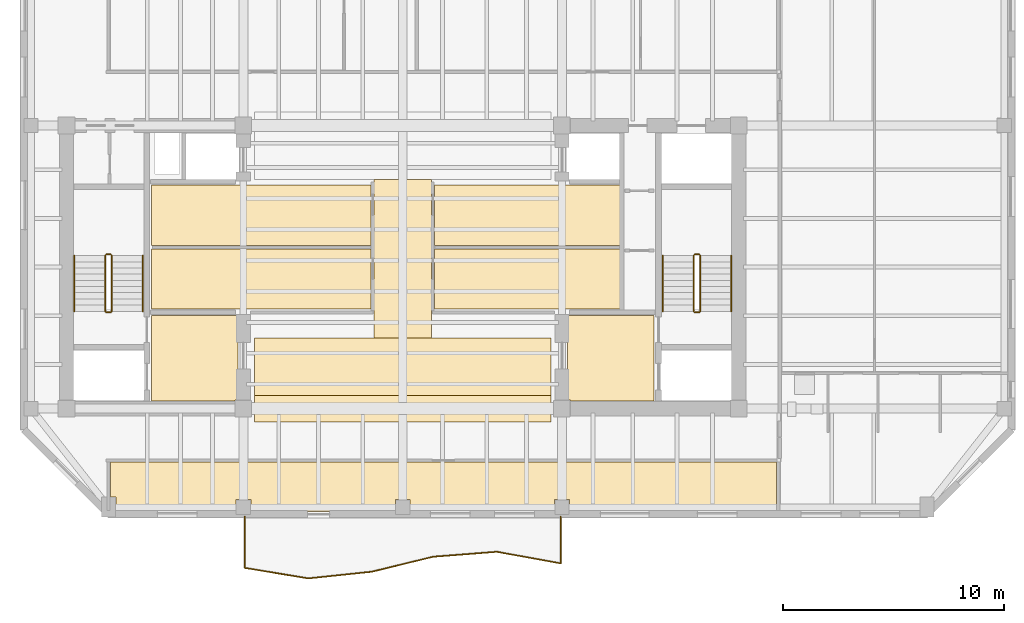
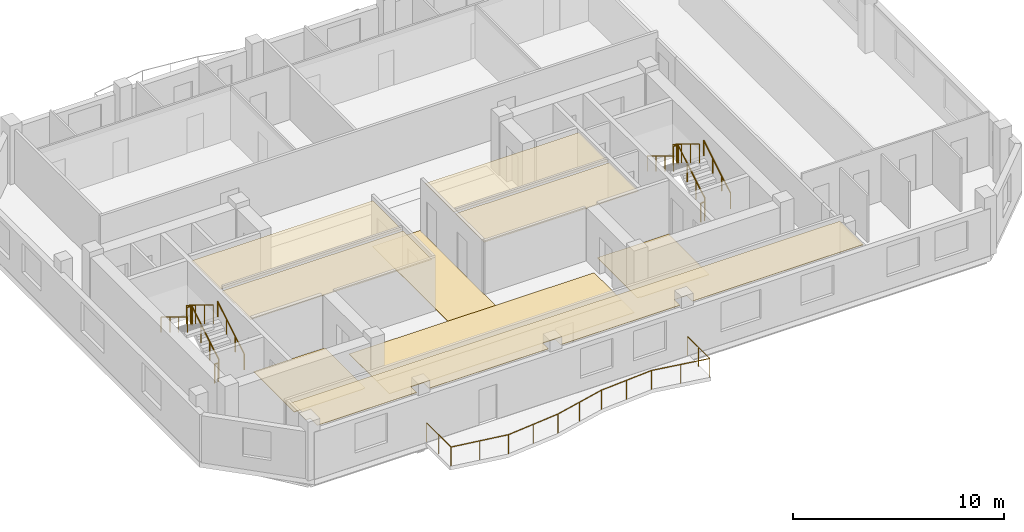
# One storey, part 7 of 9: 13 railings, 10 coverings.
"""IFC4 building model written with IfcOpenShell, lengths in metres."""

from ifc_helpers import new_model, si_unit, direction, frame, origin, origin_2d, place, context, subcontext, project, spatial, polyline, circle, outline, extrude, material, layer, layer_set, type_object, element, save


model = new_model("IFC4")

# Units and contexts
model_context = context("Model", 3, precision=1e-05, world=origin(), true_north=direction((0.0, 1.0)))
body_context = subcontext(model_context, "Body", "Model", "MODEL_VIEW")
ifc_project = project(units=[si_unit("LENGTHUNIT", "METRE"), si_unit("AREAUNIT", "SQUARE_METRE"), si_unit("VOLUMEUNIT", "CUBIC_METRE"), si_unit("PLANEANGLEUNIT", "RADIAN"), si_unit("MASSUNIT", "GRAM", prefix="KILO")], contexts=[model_context])

# Site, building, storey
site_placement = place(None, origin())
site = spatial("IfcSite", under=ifc_project, at=site_placement, CompositionType="ELEMENT")
building_placement = place(site_placement, origin())
building = spatial("IfcBuilding", under=site, at=building_placement, Name="Kranthara Brick Stack", CompositionType="ELEMENT")
storey_placement = place(building_placement, frame((0.0, 0.0, 251.699951171875)))
storey = spatial("IfcBuildingStorey", under=building, at=storey_placement, Name="L66", CompositionType="ELEMENT", Elevation=251.699951171875)

# Coverings
ifc_material_1 = material(Name="Perforated mineral-fibre acoustic ceiling tile", Category="other")
ifc_layer_1 = layer(ifc_material_1, 0.02490234375)
ifc_layer_set_1 = layer_set([ifc_layer_1], Name="Perforated mineral-fibre acoustic ceiling tile")
covering_type_1 = type_object("IfcCoveringType", Name="COV-CEIL-ACOUSTIC", PredefinedType="CEILING", material=ifc_layer_set_1)
covering_1_placement = place(storey_placement, frame((0.0, 0.0, 2.830078125)))
element("IfcCovering", 1, at=covering_1_placement, inside=storey, type_object=covering_type_1, Name="L66 L66 Sky Club Study Room Acoustic Ceiling", PredefinedType="CEILING", context=body_context, shape_type="SweptSolid", body=[
    extrude(outline(polyline([(26.570068359375, 25.300048828125), (26.570068359375, 28.02001953125), (16.64990234375, 28.02001953125), (16.64990234375, 25.300048828125), (26.570068359375, 25.300048828125)])), origin(), (0.0, 0.0, 1.0), 0.02490234375),
])
covering_2_placement = place(storey_placement, frame((0.0, 0.0, 2.830078125)))
element("IfcCovering", 2, at=covering_2_placement, inside=storey, type_object=covering_type_1, Name="L66 L66 Sky Club Media Salon Acoustic Ceiling", PredefinedType="CEILING", context=body_context, shape_type="SweptSolid", body=[
    extrude(outline(polyline([(26.570068359375, 28.179931640625), (26.570068359375, 30.89990234375), (16.64990234375, 30.89990234375), (16.64990234375, 28.179931640625), (26.570068359375, 28.179931640625)])), origin(), (0.0, 0.0, 1.0), 0.02490234375),
])
covering_3_placement = place(storey_placement, frame((0.0, 0.0, 2.830078125)))
element("IfcCovering", 3, at=covering_3_placement, inside=storey, type_object=covering_type_1, Name="L66 L66 Sky Club Tea Room Acoustic Ceiling", PredefinedType="CEILING", context=body_context, shape_type="SweptSolid", body=[
    extrude(outline(polyline([(37.8798828125, 25.300048828125), (37.8798828125, 28.02001953125), (29.429931640625, 28.02001953125), (29.429931640625, 25.300048828125), (37.8798828125, 25.300048828125)])), origin(), (0.0, 0.0, 1.0), 0.02490234375),
])
covering_4_placement = place(storey_placement, frame((0.0, 0.0, 2.830078125)))
element("IfcCovering", 4, at=covering_4_placement, inside=storey, type_object=covering_type_1, Name="L66 L66 Sky Club Private Dining Room Acoustic Ceiling", PredefinedType="CEILING", context=body_context, shape_type="SweptSolid", body=[
    extrude(outline(polyline([(37.8798828125, 28.179931640625), (37.8798828125, 30.89990234375), (29.429931640625, 30.89990234375), (29.429931640625, 28.179931640625), (37.8798828125, 28.179931640625)])), origin(), (0.0, 0.0, 1.0), 0.02490234375),
])
covering_5_placement = place(storey_placement, frame((0.0, 0.0, 2.830078125)))
element("IfcCovering", 5, at=covering_5_placement, inside=storey, type_object=covering_type_1, Name="L66 L66 Sky Club Observation Lounge 1 Acoustic Ceiling", PredefinedType="CEILING", context=body_context, shape_type="SweptSolid", body=[
    extrude(outline(polyline([(35.534912109375, 16.14990234375), (35.534912109375, 16.68505859375), (34.864990234375, 16.68505859375), (34.864990234375, 16.14990234375), (28.3349609375, 16.14990234375), (28.3349609375, 16.68505859375), (27.6650390625, 16.68505859375), (27.6650390625, 16.14990234375), (21.135009765625, 16.14990234375), (21.135009765625, 16.68505859375), (20.465087890625, 16.68505859375), (20.465087890625, 16.14990234375), (15.034912109375, 16.14990234375), (15.034912109375, 16.81005859375), (14.780029296875, 16.81005859375), (14.780029296875, 18.3798828125), (44.89990234375, 18.3798828125), (44.89990234375, 16.14990234375), (35.534912109375, 16.14990234375)])), origin(), (0.0, 0.0, 1.0), 0.02490234375),
])
ifc_material_2 = material(Name="Honed terrazzo and porcelain floor finish", Category="stone")
ifc_layer_2 = layer(ifc_material_2, 0.030029296875)
ifc_layer_set_2 = layer_set([ifc_layer_2], Name="Honed terrazzo and porcelain floor finish")
covering_type_2 = type_object("IfcCoveringType", Name="COV-FLOR-STONE", PredefinedType="FLOORING", material=ifc_layer_set_2)
covering_6_placement = place(storey_placement, origin())
element("IfcCovering", 6, at=covering_6_placement, inside=storey, type_object=covering_type_2, Name="L66 Lift Lobby Stone Flooring", PredefinedType="FLOORING", context=body_context, shape_type="SweptSolid", body=[
    extrude(outline(polyline([(16.64990234375, 21.14990234375), (16.64990234375, 25.0), (20.550048828125, 25.0), (20.550048828125, 21.18505859375), (20.4150390625, 21.18505859375), (20.4150390625, 21.14990234375), (16.64990234375, 21.14990234375)])), origin(), (0.0, 0.0, 1.0), 0.030029296875),
])
covering_7_placement = place(storey_placement, origin())
element("IfcCovering", 7, at=covering_7_placement, inside=storey, type_object=covering_type_2, Name="L66 Lift Lobby Stone Flooring", PredefinedType="FLOORING", context=body_context, shape_type="SweptSolid", body=[
    extrude(outline(polyline([(35.449951171875, 25.0), (39.35009765625, 25.0), (39.35009765625, 21.14990234375), (35.5849609375, 21.14990234375), (35.5849609375, 21.18505859375), (35.449951171875, 21.18505859375), (35.449951171875, 25.0)])), origin(), (0.0, 0.0, 1.0), 0.030029296875),
])
covering_8_placement = place(storey_placement, origin())
element("IfcCovering", 8, at=covering_8_placement, inside=storey, type_object=covering_type_2, Name="L66 Lift Lobby Stone Flooring", PredefinedType="FLOORING", context=body_context, shape_type="SweptSolid", body=[
    extrude(outline(polyline([(34.699951171875, 21.39990234375), (34.699951171875, 24.0), (21.300048828125, 24.0), (21.300048828125, 21.39990234375), (34.699951171875, 21.39990234375)])), origin(), (0.0, 0.0, 1.0), 0.030029296875),
])
covering_9_placement = place(storey_placement, origin())
element("IfcCovering", 9, at=covering_9_placement, inside=storey, type_object=covering_type_2, Name="L66 Lift Lobby Stone Flooring", PredefinedType="FLOORING", context=body_context, shape_type="SweptSolid", body=[
    extrude(outline(polyline([(29.300048828125, 24.0), (26.699951171875, 24.0), (26.699951171875, 31.14990234375), (29.300048828125, 31.14990234375), (29.300048828125, 24.0)])), origin(), (0.0, 0.0, 1.0), 0.030029296875),
])
covering_10_placement = place(storey_placement, origin())
element("IfcCovering", 10, at=covering_10_placement, inside=storey, type_object=covering_type_2, Name="L66 Lift Lobby Stone Flooring", PredefinedType="FLOORING", context=body_context, shape_type="SweptSolid", body=[
    extrude(outline(polyline([(34.699951171875, 20.199951171875), (21.300048828125, 20.199951171875), (21.300048828125, 21.39990234375), (34.699951171875, 21.39990234375), (34.699951171875, 20.199951171875)])), origin(), (0.0, 0.0, 1.0), 0.030029296875),
])

# Railings
ifc_material_3 = material(Name="Bronze anodised aluminium and laminated glass balustrade", Category="aluminium")
railing_type_1 = type_object("IfcRailingType", Name="RL-BALC-1120", PredefinedType="BALUSTRADE", material=ifc_material_3)
railing_1_placement = place(storey_placement, frame((35.139892578125, 15.909912109375, 0.0)))
element("IfcRailing", 11, at=railing_1_placement, inside=storey, type_object=railing_type_1, Name="L66 South Rippling Balcony Balustrade", PredefinedType="BALUSTRADE", context=body_context, shape_type="SweptSolid", body=[
    extrude(circle(Radius=0.02392578125, at=origin_2d()), frame((0.0, 0.0, 1.09619140625), z_axis=(0.000115955472, -0.999999993277, 0.0), x_axis=(0.999999993277, 0.000115955472, 0.0)), (0.0, 0.0, 1.0), 2.10546875),
    extrude(circle(Radius=0.02392578125, at=origin_2d()), frame((0.000244140625, -2.10546875, 1.09619140625), z_axis=(-0.983868575674, 0.178892777386, 0.0), x_axis=(-0.178892777386, -0.983868575674, 0.0)), (0.0, 0.0, 1.0), 2.92724609375),
    extrude(circle(Radius=0.02392578125, at=origin_2d()), frame((-2.8798828125, -1.581787109375, 1.09619140625), z_axis=(-0.99699803225, -0.077426892543, 0.0), x_axis=(0.077426892543, -0.99699803225, 0.0)), (0.0, 0.0, 1.0), 2.888427734375),
    extrude(circle(Radius=0.02392578125, at=origin_2d()), frame((-5.759521484375, -1.805419921875, 1.09619140625), z_axis=(-0.97146307593, -0.237190834781, 0.0), x_axis=(0.237190834781, -0.97146307593, 0.0)), (0.0, 0.0, 1.0), 2.85009765625),
    extrude(circle(Radius=0.02392578125, at=origin_2d()), frame((-8.5283203125, -2.4814453125, 1.09619140625), z_axis=(-0.994452083775, -0.105190556015, 0.0), x_axis=(0.105190556015, -0.994452083775, 0.0)), (0.0, 0.0, 1.0), 2.8896484375),
    extrude(circle(Radius=0.02392578125, at=origin_2d()), frame((-11.40185546875, -2.785400390625, 1.09619140625), z_axis=(-0.986594487244, 0.163191046749, 0.0), x_axis=(-0.163191046749, -0.986594487244, 0.0)), (0.0, 0.0, 1.0), 2.917236328125),
    extrude(circle(Radius=0.02392578125, at=origin_2d()), frame((-14.280029296875, -2.309326171875, 1.09619140625), z_axis=(0.00010571942, 0.999999994412, 0.0), x_axis=(-0.999999994412, 0.00010571942, 0.0)), (0.0, 0.0, 1.0), 2.309326171875),
    extrude(circle(Radius=0.02099609375, at=origin_2d()), origin(), (0.0, 0.0, 1.0), 1.072021484375),
    extrude(circle(Radius=0.02099609375, at=origin_2d()), frame((0.0, -1.052734375, 0.0)), (0.0, 0.0, 1.0), 1.072021484375),
    extrude(circle(Radius=0.02099609375, at=origin_2d()), frame((0.000244140625, -2.10546875, 0.0)), (0.0, 0.0, 1.0), 1.072021484375),
    extrude(circle(Radius=0.02099609375, at=origin_2d()), frame((-1.43994140625, -1.84375, 0.0)), (0.0, 0.0, 1.0), 1.072021484375),
    extrude(circle(Radius=0.02099609375, at=origin_2d()), frame((-2.8798828125, -1.581787109375, 0.0)), (0.0, 0.0, 1.0), 1.072021484375),
    extrude(circle(Radius=0.02099609375, at=origin_2d()), frame((-4.31982421875, -1.693603515625, 0.0)), (0.0, 0.0, 1.0), 1.072021484375),
    extrude(circle(Radius=0.02099609375, at=origin_2d()), frame((-5.759521484375, -1.805419921875, 0.0)), (0.0, 0.0, 1.0), 1.072021484375),
    extrude(circle(Radius=0.02099609375, at=origin_2d()), frame((-7.14404296875, -2.1435546875, 0.0)), (0.0, 0.0, 1.0), 1.072021484375),
    extrude(circle(Radius=0.02099609375, at=origin_2d()), frame((-8.5283203125, -2.4814453125, 0.0)), (0.0, 0.0, 1.0), 1.072021484375),
    extrude(circle(Radius=0.02099609375, at=origin_2d()), frame((-9.965087890625, -2.63330078125, 0.0)), (0.0, 0.0, 1.0), 1.072021484375),
    extrude(circle(Radius=0.02099609375, at=origin_2d()), frame((-11.40185546875, -2.785400390625, 0.0)), (0.0, 0.0, 1.0), 1.072021484375),
    extrude(circle(Radius=0.02099609375, at=origin_2d()), frame((-12.8408203125, -2.54736328125, 0.0)), (0.0, 0.0, 1.0), 1.072021484375),
    extrude(circle(Radius=0.02099609375, at=origin_2d()), frame((-14.280029296875, -2.309326171875, 0.0)), (0.0, 0.0, 1.0), 1.072021484375),
    extrude(circle(Radius=0.02099609375, at=origin_2d()), frame((-14.27978515625, -1.15478515625, 0.0)), (0.0, 0.0, 1.0), 1.072021484375),
    extrude(circle(Radius=0.02099609375, at=origin_2d()), frame((-14.27978515625, 0.0, 0.0)), (0.0, 0.0, 1.0), 1.072021484375),
])
ifc_material_4 = material(Name="Painted galvanized steel stair guardrail", Category="steel")
railing_type_2 = type_object("IfcRailingType", Name="RL-STAIR-GUARD-1100", PredefinedType="GUARDRAIL", material=ifc_material_4)
railing_2_placement = place(storey_placement, frame((14.85009765625, 25.199951171875, 0.170166015625)))
element("IfcRailing", 12, at=railing_2_placement, inside=storey, type_object=railing_type_2, Name="L66 ST01 stair guard 1", PredefinedType="GUARDRAIL", context=body_context, shape_type="SweptSolid", body=[
    extrude(circle(Radius=0.02392578125, at=origin_2d()), frame((0.0, 0.0, 1.076171875), z_axis=(0.0, 0.854821627497, 0.518921945155), x_axis=(-1.0, 0.0, 0.0)), (0.0, 0.0, 1.0), 2.947998046875),
    extrude(circle(Radius=0.02099609375, at=origin_2d()), origin(), (0.0, 0.0, 1.0), 1.052001953125),
    extrude(circle(Radius=0.02099609375, at=origin_2d()), frame((0.0, 0.840087890625, 0.510009765625)), (0.0, 0.0, 1.0), 1.052001953125),
    extrude(circle(Radius=0.02099609375, at=origin_2d()), frame((0.0, 1.679931640625, 1.019775390625)), (0.0, 0.0, 1.0), 1.052001953125),
    extrude(circle(Radius=0.02099609375, at=origin_2d()), frame((0.0, 2.52001953125, 1.52978515625)), (0.0, 0.0, 1.0), 1.052001953125),
])
railing_3_placement = place(storey_placement, frame((14.800048828125, 27.77001953125, 1.699951171875)))
element("IfcRailing", 13, at=railing_3_placement, inside=storey, type_object=railing_type_2, Name="L66 ST01 stair guard 2", PredefinedType="GUARDRAIL", context=body_context, shape_type="SweptSolid", body=[
    extrude(circle(Radius=0.02392578125, at=origin_2d()), frame((0.0, 0.0, 1.076171875), z_axis=(-1.0, 0.0, 0.0), x_axis=(0.0, -1.0, 0.0)), (0.0, 0.0, 1.0), 0.199951171875),
    extrude(circle(Radius=0.02099609375, at=origin_2d()), origin(), (0.0, 0.0, 1.0), 1.052001953125),
    extrude(circle(Radius=0.02099609375, at=origin_2d()), frame((-0.199951171875, 0.0, 0.0)), (0.0, 0.0, 1.0), 1.052001953125),
])
railing_4_placement = place(storey_placement, frame((14.550048828125, 27.719970703125, 1.8701171875)))
element("IfcRailing", 14, at=railing_4_placement, inside=storey, type_object=railing_type_2, Name="L66 ST01 stair guard 3", PredefinedType="GUARDRAIL", context=body_context, shape_type="SweptSolid", body=[
    extrude(circle(Radius=0.02392578125, at=origin_2d()), frame((0.0, 0.0, 1.076171875), z_axis=(0.0, -0.85478489116, 0.518982456201), x_axis=(1.0, 0.0, 0.0)), (0.0, 0.0, 1.0), 2.9482421875),
    extrude(circle(Radius=0.02099609375, at=origin_2d()), origin(), (0.0, 0.0, 1.0), 1.052001953125),
    extrude(circle(Radius=0.02099609375, at=origin_2d()), frame((0.0, -0.840087890625, 0.510009765625)), (0.0, 0.0, 1.0), 1.052001953125),
    extrude(circle(Radius=0.02099609375, at=origin_2d()), frame((0.0, -1.679931640625, 1.02001953125)), (0.0, 0.0, 1.0), 1.052001953125),
    extrude(circle(Radius=0.02099609375, at=origin_2d()), frame((0.0, -2.52001953125, 1.530029296875)), (0.0, 0.0, 1.0), 1.052001953125),
])
railing_5_placement = place(storey_placement, frame((14.800048828125, 25.14990234375, 0.0)))
element("IfcRailing", 15, at=railing_5_placement, inside=storey, type_object=railing_type_2, Name="L66 ST01 stair guard 4", PredefinedType="GUARDRAIL", context=body_context, shape_type="SweptSolid", body=[
    extrude(circle(Radius=0.02392578125, at=origin_2d()), frame((0.0, 0.0, 1.076171875), z_axis=(-1.0, 0.0, 0.0), x_axis=(0.0, -1.0, 0.0)), (0.0, 0.0, 1.0), 0.199951171875),
    extrude(circle(Radius=0.02099609375, at=origin_2d()), origin(), (0.0, 0.0, 1.0), 1.052001953125),
    extrude(circle(Radius=0.02099609375, at=origin_2d()), frame((-0.199951171875, 0.0, 0.0)), (0.0, 0.0, 1.0), 1.052001953125),
])
railing_6_placement = place(storey_placement, frame((41.449951171875, 25.199951171875, 0.170166015625)))
element("IfcRailing", 16, at=railing_6_placement, inside=storey, type_object=railing_type_2, Name="L66 ST02 stair guard 1", PredefinedType="GUARDRAIL", context=body_context, shape_type="SweptSolid", body=[
    extrude(circle(Radius=0.02392578125, at=origin_2d()), frame((0.0, 0.0, 1.076171875), z_axis=(0.0, 0.854821627497, 0.518921945155), x_axis=(-1.0, 0.0, 0.0)), (0.0, 0.0, 1.0), 2.947998046875),
    extrude(circle(Radius=0.02099609375, at=origin_2d()), origin(), (0.0, 0.0, 1.0), 1.052001953125),
    extrude(circle(Radius=0.02099609375, at=origin_2d()), frame((0.0, 0.840087890625, 0.510009765625)), (0.0, 0.0, 1.0), 1.052001953125),
    extrude(circle(Radius=0.02099609375, at=origin_2d()), frame((0.0, 1.679931640625, 1.019775390625)), (0.0, 0.0, 1.0), 1.052001953125),
    extrude(circle(Radius=0.02099609375, at=origin_2d()), frame((0.0, 2.52001953125, 1.52978515625)), (0.0, 0.0, 1.0), 1.052001953125),
])
railing_7_placement = place(storey_placement, frame((41.39990234375, 27.77001953125, 1.699951171875)))
element("IfcRailing", 17, at=railing_7_placement, inside=storey, type_object=railing_type_2, Name="L66 ST02 stair guard 2", PredefinedType="GUARDRAIL", context=body_context, shape_type="SweptSolid", body=[
    extrude(circle(Radius=0.02392578125, at=origin_2d()), frame((0.0, 0.0, 1.076171875), z_axis=(-1.0, 0.0, 0.0), x_axis=(0.0, -1.0, 0.0)), (0.0, 0.0, 1.0), 0.199951171875),
    extrude(circle(Radius=0.02099609375, at=origin_2d()), origin(), (0.0, 0.0, 1.0), 1.052001953125),
    extrude(circle(Radius=0.02099609375, at=origin_2d()), frame((-0.199951171875, 0.0, 0.0)), (0.0, 0.0, 1.0), 1.052001953125),
])
railing_8_placement = place(storey_placement, frame((41.14990234375, 27.719970703125, 1.8701171875)))
element("IfcRailing", 18, at=railing_8_placement, inside=storey, type_object=railing_type_2, Name="L66 ST02 stair guard 3", PredefinedType="GUARDRAIL", context=body_context, shape_type="SweptSolid", body=[
    extrude(circle(Radius=0.02392578125, at=origin_2d()), frame((0.0, 0.0, 1.076171875), z_axis=(0.0, -0.85478489116, 0.518982456201), x_axis=(1.0, 0.0, 0.0)), (0.0, 0.0, 1.0), 2.9482421875),
    extrude(circle(Radius=0.02099609375, at=origin_2d()), origin(), (0.0, 0.0, 1.0), 1.052001953125),
    extrude(circle(Radius=0.02099609375, at=origin_2d()), frame((0.0, -0.840087890625, 0.510009765625)), (0.0, 0.0, 1.0), 1.052001953125),
    extrude(circle(Radius=0.02099609375, at=origin_2d()), frame((0.0, -1.679931640625, 1.02001953125)), (0.0, 0.0, 1.0), 1.052001953125),
    extrude(circle(Radius=0.02099609375, at=origin_2d()), frame((0.0, -2.52001953125, 1.530029296875)), (0.0, 0.0, 1.0), 1.052001953125),
])
railing_9_placement = place(storey_placement, frame((41.39990234375, 25.14990234375, 0.0)))
element("IfcRailing", 19, at=railing_9_placement, inside=storey, type_object=railing_type_2, Name="L66 ST02 stair guard 4", PredefinedType="GUARDRAIL", context=body_context, shape_type="SweptSolid", body=[
    extrude(circle(Radius=0.02392578125, at=origin_2d()), frame((0.0, 0.0, 1.076171875), z_axis=(-1.0, 0.0, 0.0), x_axis=(0.0, -1.0, 0.0)), (0.0, 0.0, 1.0), 0.199951171875),
    extrude(circle(Radius=0.02099609375, at=origin_2d()), origin(), (0.0, 0.0, 1.0), 1.052001953125),
    extrude(circle(Radius=0.02099609375, at=origin_2d()), frame((-0.199951171875, 0.0, 0.0)), (0.0, 0.0, 1.0), 1.052001953125),
])
ifc_material_5 = material(Name="Brushed stainless steel tubular handrail", Category="steel")
railing_type_3 = type_object("IfcRailingType", Name="RL-STAIR-HAND-900", PredefinedType="HANDRAIL", material=ifc_material_5)
railing_10_placement = place(storey_placement, frame((16.25, 25.199951171875, 0.170166015625)))
element("IfcRailing", 20, at=railing_10_placement, inside=storey, type_object=railing_type_3, Name="L66 ST01 stair handrail 1", PredefinedType="HANDRAIL", context=body_context, shape_type="SweptSolid", body=[
    extrude(circle(Radius=0.02392578125, at=origin_2d()), frame((0.0, 0.0, 0.8759765625), z_axis=(0.0, 0.854821627497, 0.518921945155), x_axis=(-1.0, 0.0, 0.0)), (0.0, 0.0, 1.0), 2.947998046875),
    extrude(circle(Radius=0.02099609375, at=origin_2d()), origin(), (0.0, 0.0, 1.0), 0.851806640625),
    extrude(circle(Radius=0.02099609375, at=origin_2d()), frame((0.0, 0.840087890625, 0.510009765625)), (0.0, 0.0, 1.0), 0.851806640625),
    extrude(circle(Radius=0.02099609375, at=origin_2d()), frame((0.0, 1.679931640625, 1.019775390625)), (0.0, 0.0, 1.0), 0.851806640625),
    extrude(circle(Radius=0.02099609375, at=origin_2d()), frame((0.0, 2.52001953125, 1.52978515625)), (0.0, 0.0, 1.0), 0.851806640625),
])
railing_11_placement = place(storey_placement, frame((13.14990234375, 27.719970703125, 1.8701171875)))
element("IfcRailing", 21, at=railing_11_placement, inside=storey, type_object=railing_type_3, Name="L66 ST01 stair handrail 2", PredefinedType="HANDRAIL", context=body_context, shape_type="SweptSolid", body=[
    extrude(circle(Radius=0.02392578125, at=origin_2d()), frame((0.0, 0.0, 0.8759765625), z_axis=(0.0, -0.85478489116, 0.518982456201), x_axis=(1.0, 0.0, 0.0)), (0.0, 0.0, 1.0), 2.9482421875),
    extrude(circle(Radius=0.02099609375, at=origin_2d()), origin(), (0.0, 0.0, 1.0), 0.851806640625),
    extrude(circle(Radius=0.02099609375, at=origin_2d()), frame((0.0, -0.840087890625, 0.510009765625)), (0.0, 0.0, 1.0), 0.851806640625),
    extrude(circle(Radius=0.02099609375, at=origin_2d()), frame((0.0, -1.679931640625, 1.02001953125)), (0.0, 0.0, 1.0), 0.851806640625),
    extrude(circle(Radius=0.02099609375, at=origin_2d()), frame((0.0, -2.52001953125, 1.530029296875)), (0.0, 0.0, 1.0), 0.851806640625),
])
railing_12_placement = place(storey_placement, frame((42.85009765625, 25.199951171875, 0.170166015625)))
element("IfcRailing", 22, at=railing_12_placement, inside=storey, type_object=railing_type_3, Name="L66 ST02 stair handrail 1", PredefinedType="HANDRAIL", context=body_context, shape_type="SweptSolid", body=[
    extrude(circle(Radius=0.02392578125, at=origin_2d()), frame((0.0, 0.0, 0.8759765625), z_axis=(0.0, 0.854821627497, 0.518921945155), x_axis=(-1.0, 0.0, 0.0)), (0.0, 0.0, 1.0), 2.947998046875),
    extrude(circle(Radius=0.02099609375, at=origin_2d()), origin(), (0.0, 0.0, 1.0), 0.851806640625),
    extrude(circle(Radius=0.02099609375, at=origin_2d()), frame((0.0, 0.840087890625, 0.510009765625)), (0.0, 0.0, 1.0), 0.851806640625),
    extrude(circle(Radius=0.02099609375, at=origin_2d()), frame((0.0, 1.679931640625, 1.019775390625)), (0.0, 0.0, 1.0), 0.851806640625),
    extrude(circle(Radius=0.02099609375, at=origin_2d()), frame((0.0, 2.52001953125, 1.52978515625)), (0.0, 0.0, 1.0), 0.851806640625),
])
railing_13_placement = place(storey_placement, frame((39.75, 27.719970703125, 1.8701171875)))
element("IfcRailing", 23, at=railing_13_placement, inside=storey, type_object=railing_type_3, Name="L66 ST02 stair handrail 2", PredefinedType="HANDRAIL", context=body_context, shape_type="SweptSolid", body=[
    extrude(circle(Radius=0.02392578125, at=origin_2d()), frame((0.0, 0.0, 0.8759765625), z_axis=(0.0, -0.85478489116, 0.518982456201), x_axis=(1.0, 0.0, 0.0)), (0.0, 0.0, 1.0), 2.9482421875),
    extrude(circle(Radius=0.02099609375, at=origin_2d()), origin(), (0.0, 0.0, 1.0), 0.851806640625),
    extrude(circle(Radius=0.02099609375, at=origin_2d()), frame((0.0, -0.840087890625, 0.510009765625)), (0.0, 0.0, 1.0), 0.851806640625),
    extrude(circle(Radius=0.02099609375, at=origin_2d()), frame((0.0, -1.679931640625, 1.02001953125)), (0.0, 0.0, 1.0), 0.851806640625),
    extrude(circle(Radius=0.02099609375, at=origin_2d()), frame((0.0, -2.52001953125, 1.530029296875)), (0.0, 0.0, 1.0), 0.851806640625),
])

save(model, "model.ifc")
